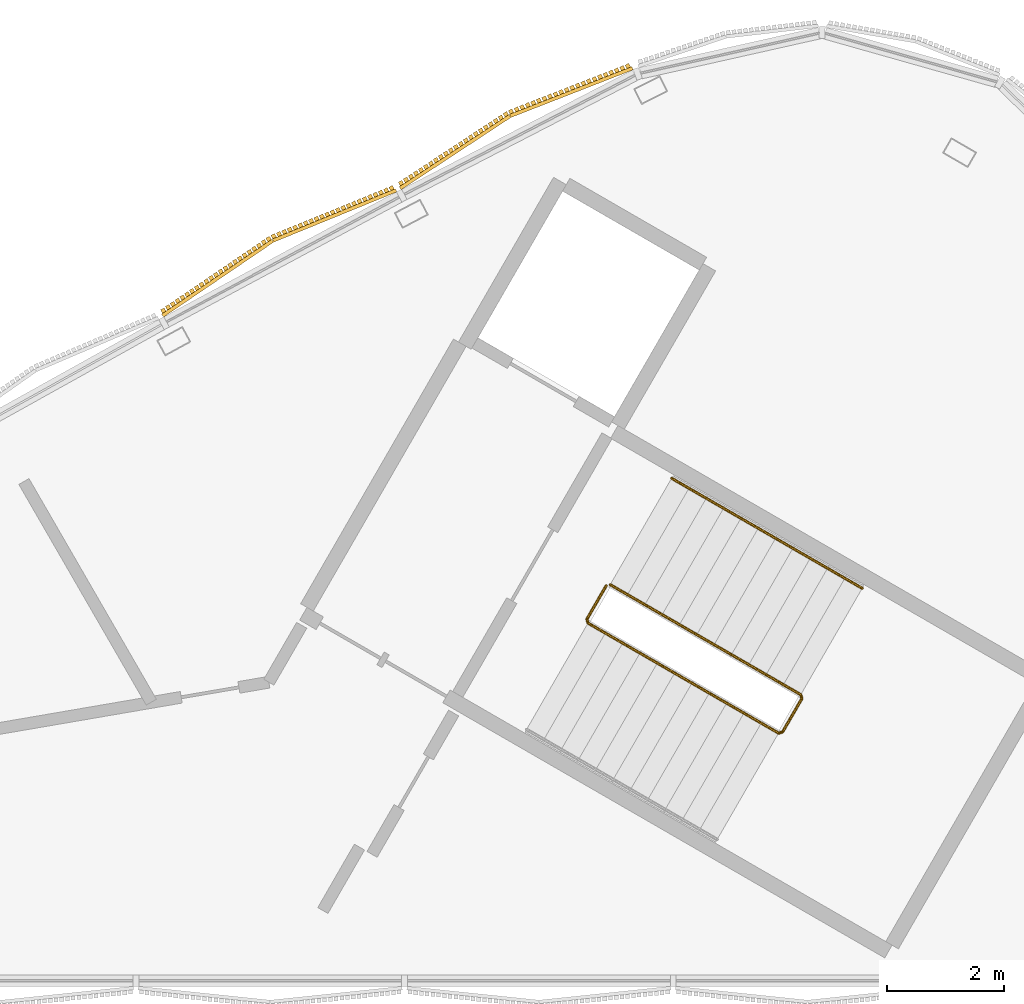
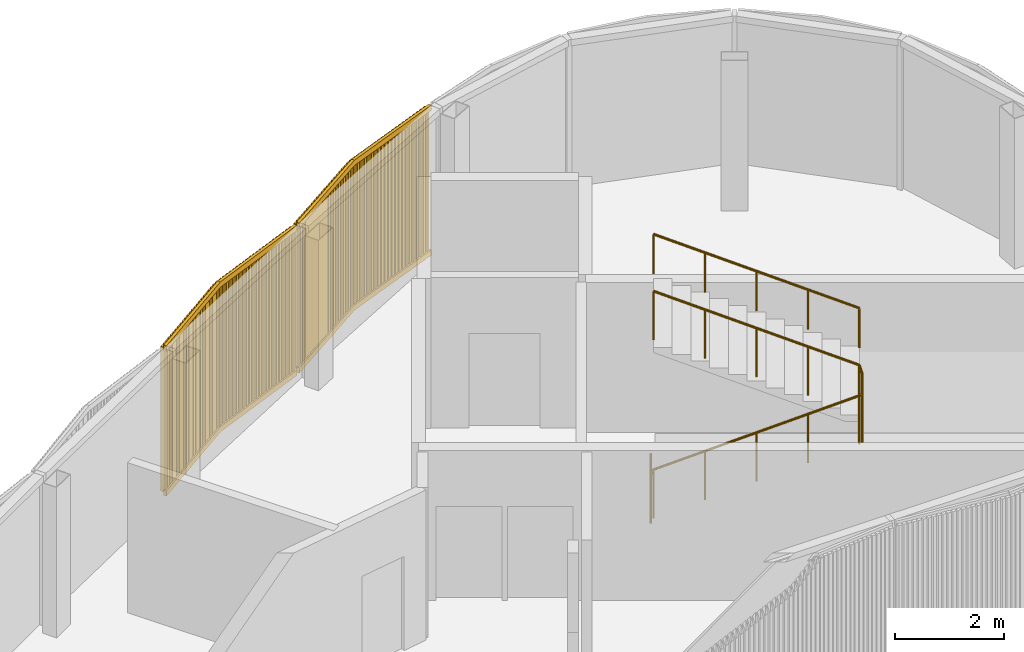
# One storey, part 14 of 16: 2 coverings, 2 railings.
"""IFC4 building model written with IfcOpenShell, lengths in metres."""

from ifc_helpers import new_model, si_unit, direction, frame, frame_2d, origin, origin_2d, place, context, subcontext, project, spatial, rectangle, circle, extrude, source, transform, mapped, material, type_object, element, save


model = new_model("IFC4")

# Units and contexts
model_context = context("Model", 3, precision=1e-05, world=origin(), true_north=direction((0.0, 1.0)))
body_context = subcontext(model_context, "Body", "Model", "MODEL_VIEW")
ifc_project = project(units=[si_unit("LENGTHUNIT", "METRE"), si_unit("AREAUNIT", "SQUARE_METRE"), si_unit("VOLUMEUNIT", "CUBIC_METRE"), si_unit("PLANEANGLEUNIT", "RADIAN"), si_unit("MASSUNIT", "GRAM", prefix="KILO")], contexts=[model_context])

# Site, building, storey
site_placement = place(None, origin())
site = spatial("IfcSite", under=ifc_project, at=site_placement, CompositionType="ELEMENT")
building_placement = place(site_placement, origin())
building = spatial("IfcBuilding", under=site, at=building_placement, Name="Tamra Quay Hotel Tower", CompositionType="ELEMENT")
storey_placement = place(building_placement, frame((0.0, 0.0, 327.800048828125)))
storey = spatial("IfcBuildingStorey", under=building, at=storey_placement, Name="Roof crown 3", CompositionType="ELEMENT", Elevation=327.800048828125)

# Railings
ifc_material_1 = material(Name="Stair guard 1100")
railing_type_1 = type_object("IfcRailingType", Name="Stair guard 1100", PredefinedType="GUARDRAIL", material=ifc_material_1)
railing_1_placement = place(storey_placement, frame((5.595458984375, 12.751953125, 0.0)))
element("IfcRailing", 1, at=railing_1_placement, inside=storey, type_object=railing_type_1, Name="GR", PredefinedType="GUARDRAIL", context=body_context, shape_type="SweptSolid", body=[
    extrude(circle(Radius=0.02392578125, at=origin_2d()), frame((0.0, 0.0, 1.076171875), z_axis=(-0.499765215335, -0.866160914346, 0.0), x_axis=(0.866160914346, -0.499765215335, 0.0)), (0.0, 0.0, 1.0), 0.658935546875),
    extrude(circle(Radius=0.02392578125, at=origin_2d()), frame((-0.329345703125, -0.57080078125, 1.076171875), z_axis=(0.110525977783, -0.411156637351, 0.904839338113), x_axis=(0.965715946433, 0.259601060869, 0.0)), (0.0, 0.0, 1.0), 0.165771484375),
    extrude(circle(Radius=0.02392578125, at=origin_2d()), frame((-0.31103515625, -0.638916015625, 1.22607421875), z_axis=(0.79305953016, -0.457922937641, 0.401700342053), x_axis=(0.500040788363, 0.866001853331, 0.0)), (0.0, 0.0, 1.0), 4.10791015625),
    extrude(circle(Radius=0.02392578125, at=origin_2d()), frame((2.94677734375, -2.52001953125, 2.8759765625), z_axis=(0.965948051503, 0.258736085224, 0.0), x_axis=(-0.258736085224, 0.965948051503, 0.0)), (0.0, 0.0, 1.0), 0.07080078125),
    extrude(circle(Radius=0.02392578125, at=origin_2d()), frame((3.01513671875, -2.501708984375, 2.8759765625), z_axis=(0.500043078269, 0.866000531106, 0.0), x_axis=(-0.866000531106, 0.500043078269, 0.0)), (0.0, 0.0, 1.0), 0.6591796875),
    extrude(circle(Radius=0.02392578125, at=origin_2d()), frame((3.3447265625, -1.930908203125, 2.8759765625), z_axis=(-0.110525977783, 0.411156637351, 0.904839338113), x_axis=(-0.965715946433, -0.259601060869, 0.0)), (0.0, 0.0, 1.0), 0.165771484375),
    extrude(circle(Radius=0.02392578125, at=origin_2d()), frame((3.326416015625, -1.86279296875, 3.02587890625), z_axis=(-0.793100512587, 0.457912285461, 0.401631567183), x_axis=(-0.500012686397, -0.866018079166, 0.0)), (0.0, 0.0, 1.0), 4.10791015625),
    extrude(circle(Radius=0.02099609375, at=origin_2d()), origin(), (0.0, 0.0, 1.0), 1.052001953125),
    extrude(circle(Radius=0.02099609375, at=origin_2d()), frame((-0.329345703125, -0.57080078125, 0.0)), (0.0, 0.0, 1.0), 1.052001953125),
    extrude(circle(Radius=0.02099609375, at=origin_2d()), frame((-0.31103515625, -0.638916015625, 0.14990234375)), (0.0, 0.0, 1.0), 1.052001953125),
    extrude(circle(Radius=0.02099609375, at=origin_2d()), frame((0.50341796875, -1.109130859375, 0.5625)), (0.0, 0.0, 1.0), 1.052001953125),
    extrude(circle(Radius=0.02099609375, at=origin_2d()), frame((1.31787109375, -1.57958984375, 0.97509765625)), (0.0, 0.0, 1.0), 1.052001953125),
    extrude(circle(Radius=0.02099609375, at=origin_2d()), frame((2.13232421875, -2.0498046875, 1.387451171875)), (0.0, 0.0, 1.0), 1.052001953125),
    extrude(circle(Radius=0.02099609375, at=origin_2d()), frame((2.94677734375, -2.52001953125, 1.800048828125)), (0.0, 0.0, 1.0), 1.052001953125),
    extrude(circle(Radius=0.02099609375, at=origin_2d()), frame((3.01513671875, -2.501708984375, 1.800048828125)), (0.0, 0.0, 1.0), 1.052001953125),
    extrude(circle(Radius=0.02099609375, at=origin_2d()), frame((3.3447265625, -1.930908203125, 1.800048828125)), (0.0, 0.0, 1.0), 1.052001953125),
    extrude(circle(Radius=0.02099609375, at=origin_2d()), frame((3.326416015625, -1.86279296875, 1.949951171875)), (0.0, 0.0, 1.0), 1.052001953125),
    extrude(circle(Radius=0.02099609375, at=origin_2d()), frame((2.511962890625, -1.392578125, 2.3623046875)), (0.0, 0.0, 1.0), 1.052001953125),
    extrude(circle(Radius=0.02099609375, at=origin_2d()), frame((1.697265625, -0.92236328125, 2.77490234375)), (0.0, 0.0, 1.0), 1.052001953125),
    extrude(circle(Radius=0.02099609375, at=origin_2d()), frame((0.8828125, -0.451904296875, 3.1875)), (0.0, 0.0, 1.0), 1.052001953125),
    extrude(circle(Radius=0.02099609375, at=origin_2d()), frame((0.068359375, 0.018310546875, 3.599853515625)), (0.0, 0.0, 1.0), 1.052001953125),
])
ifc_material_2 = material(Name="Stair handrail 900")
railing_type_2 = type_object("IfcRailingType", Name="Stair handrail 900", PredefinedType="HANDRAIL", material=ifc_material_2)
railing_2_placement = place(storey_placement, frame((9.971923828125, 12.7080078125, 1.949951171875)))
element("IfcRailing", 2, at=railing_2_placement, inside=storey, type_object=railing_type_2, Name="HR", PredefinedType="HANDRAIL", context=body_context, shape_type="SweptSolid", body=[
    extrude(circle(Radius=0.02392578125, at=origin_2d()), frame((0.0, 0.0, 0.8759765625), z_axis=(-0.793122095483, 0.45786531462, 0.401642496911), x_axis=(-0.499964013922, -0.86604617936, 0.0)), (0.0, 0.0, 1.0), 4.10791015625),
    extrude(circle(Radius=0.02099609375, at=origin_2d()), origin(), (0.0, 0.0, 1.0), 0.851806640625),
    extrude(circle(Radius=0.02099609375, at=origin_2d()), frame((-0.814453125, 0.47021484375, 0.41259765625)), (0.0, 0.0, 1.0), 0.851806640625),
    extrude(circle(Radius=0.02099609375, at=origin_2d()), frame((-1.62890625, 0.9404296875, 0.824951171875)), (0.0, 0.0, 1.0), 0.851806640625),
    extrude(circle(Radius=0.02099609375, at=origin_2d()), frame((-2.443603515625, 1.41064453125, 1.2373046875)), (0.0, 0.0, 1.0), 0.851806640625),
    extrude(circle(Radius=0.02099609375, at=origin_2d()), frame((-3.258056640625, 1.880859375, 1.64990234375)), (0.0, 0.0, 1.0), 0.851806640625),
])

# Coverings
ifc_material_3 = material(Name="Terracotta baguette extruded", Category="masonry")
covering_type = type_object("IfcCoveringType", Name="BAGUETTE SCREEN CROWN H3350", PredefinedType="USERDEFINED", material=ifc_material_3)
shared_shape_1 = source(origin(), body_context, "Body", "SweptSolid", [
    extrude(rectangle(XDim=2.244873046875, YDim=0.06005859375, at=frame_2d((1.12255859375, 0.030029296875))), frame((-2.23876953125, -0.0576171875, -0.1201171875), z_axis=(0.0, 0.0, 1.0), x_axis=(0.994521895368, -0.104528463268, 0.0)), (0.0, 0.0, 1.0), 0.1201171875),
    extrude(rectangle(XDim=2.244873046875, YDim=0.06005859375, at=frame_2d((1.12255859375, 0.030029296875))), frame((-2.23876953125, -0.0576171875, -3.35009765625), z_axis=(0.0, 0.0, 1.0), x_axis=(0.994521895368, -0.104528463268, 0.0)), (0.0, 0.0, 1.0), 0.1201171875),
    extrude(rectangle(XDim=0.070068359375, YDim=0.10009765625, at=frame_2d((0.03515625, 0.050048828125))), frame((-2.216796875, -0.13330078125, -3.2900390625)), (0.0, 0.0, 1.0), 3.22998046875),
    extrude(rectangle(XDim=0.070068359375, YDim=0.10009765625, at=frame_2d((0.03515625, 0.050048828125))), frame((-2.115234375, -0.14404296875, -3.2900390625)), (0.0, 0.0, 1.0), 3.22998046875),
    extrude(rectangle(XDim=0.070068359375, YDim=0.10009765625, at=frame_2d((0.03515625, 0.050048828125))), frame((-2.013916015625, -0.154541015625, -3.2900390625)), (0.0, 0.0, 1.0), 3.22998046875),
    extrude(rectangle(XDim=0.070068359375, YDim=0.10009765625, at=frame_2d((0.03515625, 0.050048828125))), frame((-1.912353515625, -0.165283203125, -3.2900390625)), (0.0, 0.0, 1.0), 3.22998046875),
    extrude(rectangle(XDim=0.070068359375, YDim=0.10009765625, at=frame_2d((0.03515625, 0.050048828125))), frame((-1.810791015625, -0.176025390625, -3.2900390625)), (0.0, 0.0, 1.0), 3.22998046875),
    extrude(rectangle(XDim=0.070068359375, YDim=0.10009765625, at=frame_2d((0.03515625, 0.050048828125))), frame((-1.70947265625, -0.186767578125, -3.2900390625)), (0.0, 0.0, 1.0), 3.22998046875),
    extrude(rectangle(XDim=0.070068359375, YDim=0.10009765625, at=frame_2d((0.03515625, 0.050048828125))), frame((-1.60791015625, -0.197265625, -3.2900390625)), (0.0, 0.0, 1.0), 3.22998046875),
    extrude(rectangle(XDim=0.070068359375, YDim=0.10009765625, at=frame_2d((0.03515625, 0.050048828125))), frame((-1.50634765625, -0.2080078125, -3.2900390625)), (0.0, 0.0, 1.0), 3.22998046875),
    extrude(rectangle(XDim=0.070068359375, YDim=0.10009765625, at=frame_2d((0.03515625, 0.050048828125))), frame((-1.405029296875, -0.21875, -3.2900390625)), (0.0, 0.0, 1.0), 3.22998046875),
    extrude(rectangle(XDim=0.070068359375, YDim=0.10009765625, at=frame_2d((0.03515625, 0.050048828125))), frame((-1.303466796875, -0.229248046875, -3.2900390625)), (0.0, 0.0, 1.0), 3.22998046875),
    extrude(rectangle(XDim=0.070068359375, YDim=0.10009765625, at=frame_2d((0.03515625, 0.050048828125))), frame((-1.201904296875, -0.239990234375, -3.2900390625)), (0.0, 0.0, 1.0), 3.22998046875),
    extrude(rectangle(XDim=0.070068359375, YDim=0.10009765625, at=frame_2d((0.03515625, 0.050048828125))), frame((-1.1005859375, -0.250732421875, -3.2900390625)), (0.0, 0.0, 1.0), 3.22998046875),
    extrude(rectangle(XDim=0.070068359375, YDim=0.10009765625, at=frame_2d((0.03515625, 0.050048828125))), frame((-0.9990234375, -0.26123046875, -3.2900390625)), (0.0, 0.0, 1.0), 3.22998046875),
    extrude(rectangle(XDim=0.070068359375, YDim=0.10009765625, at=frame_2d((0.03515625, 0.050048828125))), frame((-0.8974609375, -0.27197265625, -3.2900390625)), (0.0, 0.0, 1.0), 3.22998046875),
    extrude(rectangle(XDim=0.070068359375, YDim=0.10009765625, at=frame_2d((0.03515625, 0.050048828125))), frame((-0.796142578125, -0.28271484375, -3.2900390625)), (0.0, 0.0, 1.0), 3.22998046875),
    extrude(rectangle(XDim=0.070068359375, YDim=0.10009765625, at=frame_2d((0.03515625, 0.050048828125))), frame((-0.694580078125, -0.293212890625, -3.2900390625)), (0.0, 0.0, 1.0), 3.22998046875),
    extrude(rectangle(XDim=0.070068359375, YDim=0.10009765625, at=frame_2d((0.03515625, 0.050048828125))), frame((-0.593017578125, -0.303955078125, -3.2900390625)), (0.0, 0.0, 1.0), 3.22998046875),
    extrude(rectangle(XDim=0.070068359375, YDim=0.10009765625, at=frame_2d((0.03515625, 0.050048828125))), frame((-0.49169921875, -0.314697265625, -3.2900390625)), (0.0, 0.0, 1.0), 3.22998046875),
    extrude(rectangle(XDim=0.070068359375, YDim=0.10009765625, at=frame_2d((0.03515625, 0.050048828125))), frame((-0.39013671875, -0.325439453125, -3.2900390625)), (0.0, 0.0, 1.0), 3.22998046875),
    extrude(rectangle(XDim=0.070068359375, YDim=0.10009765625, at=frame_2d((0.03515625, 0.050048828125))), frame((-0.28857421875, -0.3359375, -3.2900390625)), (0.0, 0.0, 1.0), 3.22998046875),
    extrude(rectangle(XDim=0.070068359375, YDim=0.10009765625, at=frame_2d((0.03515625, 0.050048828125))), frame((-0.187255859375, -0.3466796875, -3.2900390625)), (0.0, 0.0, 1.0), 3.22998046875),
    extrude(rectangle(XDim=0.070068359375, YDim=0.10009765625, at=frame_2d((0.03515625, 0.050048828125))), frame((-0.085693359375, -0.357421875, -3.2900390625)), (0.0, 0.0, 1.0), 3.22998046875),
    extrude(rectangle(XDim=2.244873046875, YDim=0.06005859375, at=frame_2d((1.12255859375, 0.030029296875))), frame((0.00634765625, -0.292236328125, -0.1201171875), z_axis=(0.0, 0.0, 1.0), x_axis=(0.994521895368, 0.104528463268, 0.0)), (0.0, 0.0, 1.0), 0.1201171875),
    extrude(rectangle(XDim=2.244873046875, YDim=0.06005859375, at=frame_2d((1.12255859375, 0.030029296875))), frame((0.00634765625, -0.292236328125, -3.35009765625), z_axis=(0.0, 0.0, 1.0), x_axis=(0.994521895368, 0.104528463268, 0.0)), (0.0, 0.0, 1.0), 0.1201171875),
    extrude(rectangle(XDim=0.070068359375, YDim=0.10009765625, at=frame_2d((0.03515625, 0.050048828125))), frame((0.015625, -0.357421875, -3.2900390625)), (0.0, 0.0, 1.0), 3.22998046875),
    extrude(rectangle(XDim=0.070068359375, YDim=0.10009765625, at=frame_2d((0.03515625, 0.050048828125))), frame((0.1171875, -0.3466796875, -3.2900390625)), (0.0, 0.0, 1.0), 3.22998046875),
    extrude(rectangle(XDim=0.070068359375, YDim=0.10009765625, at=frame_2d((0.03515625, 0.050048828125))), frame((0.21875, -0.3359375, -3.2900390625)), (0.0, 0.0, 1.0), 3.22998046875),
    extrude(rectangle(XDim=0.070068359375, YDim=0.10009765625, at=frame_2d((0.03515625, 0.050048828125))), frame((0.320068359375, -0.325439453125, -3.2900390625)), (0.0, 0.0, 1.0), 3.22998046875),
    extrude(rectangle(XDim=0.070068359375, YDim=0.10009765625, at=frame_2d((0.03515625, 0.050048828125))), frame((0.421630859375, -0.314697265625, -3.2900390625)), (0.0, 0.0, 1.0), 3.22998046875),
    extrude(rectangle(XDim=0.070068359375, YDim=0.10009765625, at=frame_2d((0.03515625, 0.050048828125))), frame((0.523193359375, -0.303955078125, -3.2900390625)), (0.0, 0.0, 1.0), 3.22998046875),
    extrude(rectangle(XDim=0.070068359375, YDim=0.10009765625, at=frame_2d((0.03515625, 0.050048828125))), frame((0.62451171875, -0.293212890625, -3.2900390625)), (0.0, 0.0, 1.0), 3.22998046875),
    extrude(rectangle(XDim=0.070068359375, YDim=0.10009765625, at=frame_2d((0.03515625, 0.050048828125))), frame((0.72607421875, -0.28271484375, -3.2900390625)), (0.0, 0.0, 1.0), 3.22998046875),
    extrude(rectangle(XDim=0.070068359375, YDim=0.10009765625, at=frame_2d((0.03515625, 0.050048828125))), frame((0.82763671875, -0.27197265625, -3.2900390625)), (0.0, 0.0, 1.0), 3.22998046875),
    extrude(rectangle(XDim=0.070068359375, YDim=0.10009765625, at=frame_2d((0.03515625, 0.050048828125))), frame((0.928955078125, -0.26123046875, -3.2900390625)), (0.0, 0.0, 1.0), 3.22998046875),
    extrude(rectangle(XDim=0.070068359375, YDim=0.10009765625, at=frame_2d((0.03515625, 0.050048828125))), frame((1.030517578125, -0.250732421875, -3.2900390625)), (0.0, 0.0, 1.0), 3.22998046875),
    extrude(rectangle(XDim=0.070068359375, YDim=0.10009765625, at=frame_2d((0.03515625, 0.050048828125))), frame((1.132080078125, -0.239990234375, -3.2900390625)), (0.0, 0.0, 1.0), 3.22998046875),
    extrude(rectangle(XDim=0.070068359375, YDim=0.10009765625, at=frame_2d((0.03515625, 0.050048828125))), frame((1.2333984375, -0.229248046875, -3.2900390625)), (0.0, 0.0, 1.0), 3.22998046875),
    extrude(rectangle(XDim=0.070068359375, YDim=0.10009765625, at=frame_2d((0.03515625, 0.050048828125))), frame((1.3349609375, -0.21875, -3.2900390625)), (0.0, 0.0, 1.0), 3.22998046875),
    extrude(rectangle(XDim=0.070068359375, YDim=0.10009765625, at=frame_2d((0.03515625, 0.050048828125))), frame((1.4365234375, -0.2080078125, -3.2900390625)), (0.0, 0.0, 1.0), 3.22998046875),
    extrude(rectangle(XDim=0.070068359375, YDim=0.10009765625, at=frame_2d((0.03515625, 0.050048828125))), frame((1.537841796875, -0.197265625, -3.2900390625)), (0.0, 0.0, 1.0), 3.22998046875),
    extrude(rectangle(XDim=0.070068359375, YDim=0.10009765625, at=frame_2d((0.03515625, 0.050048828125))), frame((1.639404296875, -0.186767578125, -3.2900390625)), (0.0, 0.0, 1.0), 3.22998046875),
    extrude(rectangle(XDim=0.070068359375, YDim=0.10009765625, at=frame_2d((0.03515625, 0.050048828125))), frame((1.740966796875, -0.176025390625, -3.2900390625)), (0.0, 0.0, 1.0), 3.22998046875),
    extrude(rectangle(XDim=0.070068359375, YDim=0.10009765625, at=frame_2d((0.03515625, 0.050048828125))), frame((1.84228515625, -0.165283203125, -3.2900390625)), (0.0, 0.0, 1.0), 3.22998046875),
    extrude(rectangle(XDim=0.070068359375, YDim=0.10009765625, at=frame_2d((0.03515625, 0.050048828125))), frame((1.94384765625, -0.154541015625, -3.2900390625)), (0.0, 0.0, 1.0), 3.22998046875),
    extrude(rectangle(XDim=0.070068359375, YDim=0.10009765625, at=frame_2d((0.03515625, 0.050048828125))), frame((2.045166015625, -0.14404296875, -3.2900390625)), (0.0, 0.0, 1.0), 3.22998046875),
    extrude(rectangle(XDim=0.070068359375, YDim=0.10009765625, at=frame_2d((0.03515625, 0.050048828125))), frame((2.146728515625, -0.13330078125, -3.2900390625)), (0.0, 0.0, 1.0), 3.22998046875),
])
covering_1_placement = place(storey_placement, frame((4.072021484375, 20.548583984375, 3.349853515625), z_axis=(0.0, 0.0, 1.0), x_axis=(-0.888486270479, -0.458903200218, 0.0)))
element("IfcCovering", 3, at=covering_1_placement, inside=storey, type_object=covering_type, Name="Baguette screen Roof crown 3.A.f05", ObjectType="BAGUETTE SCREEN", PredefinedType="USERDEFINED", context=body_context, shape_type="MappedRepresentation", body=[
    mapped(shared_shape_1, transform((0.0, 0.0, 0.0), scale=1.0)),
])
shared_shape_2 = source(origin(), body_context, "Body", "SweptSolid", [
    extrude(rectangle(XDim=2.27490234375, YDim=0.06005859375, at=frame_2d((1.137451171875, 0.030029296875))), frame((-2.268798828125, -0.0576171875, -0.1201171875), z_axis=(0.0, 0.0, 1.0), x_axis=(0.994521895368, -0.104528463268, 0.0)), (0.0, 0.0, 1.0), 0.1201171875),
    extrude(rectangle(XDim=2.27490234375, YDim=0.06005859375, at=frame_2d((1.137451171875, 0.030029296875))), frame((-2.268798828125, -0.0576171875, -3.35009765625), z_axis=(0.0, 0.0, 1.0), x_axis=(0.994521895368, -0.104528463268, 0.0)), (0.0, 0.0, 1.0), 0.1201171875),
    extrude(rectangle(XDim=0.070068359375, YDim=0.10009765625, at=frame_2d((0.03515625, 0.050048828125))), frame((-2.248291015625, -0.133056640625, -3.2900390625)), (0.0, 0.0, 1.0), 3.22998046875),
    extrude(rectangle(XDim=0.070068359375, YDim=0.10009765625, at=frame_2d((0.03515625, 0.050048828125))), frame((-2.14990234375, -0.1435546875, -3.2900390625)), (0.0, 0.0, 1.0), 3.22998046875),
    extrude(rectangle(XDim=0.070068359375, YDim=0.10009765625, at=frame_2d((0.03515625, 0.050048828125))), frame((-2.051513671875, -0.15380859375, -3.2900390625)), (0.0, 0.0, 1.0), 3.22998046875),
    extrude(rectangle(XDim=0.070068359375, YDim=0.10009765625, at=frame_2d((0.03515625, 0.050048828125))), frame((-1.953125, -0.164306640625, -3.2900390625)), (0.0, 0.0, 1.0), 3.22998046875),
    extrude(rectangle(XDim=0.070068359375, YDim=0.10009765625, at=frame_2d((0.03515625, 0.050048828125))), frame((-1.854736328125, -0.174560546875, -3.2900390625)), (0.0, 0.0, 1.0), 3.22998046875),
    extrude(rectangle(XDim=0.070068359375, YDim=0.10009765625, at=frame_2d((0.03515625, 0.050048828125))), frame((-1.756591796875, -0.184814453125, -3.2900390625)), (0.0, 0.0, 1.0), 3.22998046875),
    extrude(rectangle(XDim=0.070068359375, YDim=0.10009765625, at=frame_2d((0.03515625, 0.050048828125))), frame((-1.658203125, -0.1953125, -3.2900390625)), (0.0, 0.0, 1.0), 3.22998046875),
    extrude(rectangle(XDim=0.070068359375, YDim=0.10009765625, at=frame_2d((0.03515625, 0.050048828125))), frame((-1.559814453125, -0.20556640625, -3.2900390625)), (0.0, 0.0, 1.0), 3.22998046875),
    extrude(rectangle(XDim=0.070068359375, YDim=0.10009765625, at=frame_2d((0.03515625, 0.050048828125))), frame((-1.46142578125, -0.2158203125, -3.2900390625)), (0.0, 0.0, 1.0), 3.22998046875),
    extrude(rectangle(XDim=0.070068359375, YDim=0.10009765625, at=frame_2d((0.03515625, 0.050048828125))), frame((-1.363037109375, -0.226318359375, -3.2900390625)), (0.0, 0.0, 1.0), 3.22998046875),
    extrude(rectangle(XDim=0.070068359375, YDim=0.10009765625, at=frame_2d((0.03515625, 0.050048828125))), frame((-1.2646484375, -0.236572265625, -3.2900390625)), (0.0, 0.0, 1.0), 3.22998046875),
    extrude(rectangle(XDim=0.070068359375, YDim=0.10009765625, at=frame_2d((0.03515625, 0.050048828125))), frame((-1.166259765625, -0.246826171875, -3.2900390625)), (0.0, 0.0, 1.0), 3.22998046875),
    extrude(rectangle(XDim=0.070068359375, YDim=0.10009765625, at=frame_2d((0.03515625, 0.050048828125))), frame((-1.06787109375, -0.25732421875, -3.2900390625)), (0.0, 0.0, 1.0), 3.22998046875),
    extrude(rectangle(XDim=0.070068359375, YDim=0.10009765625, at=frame_2d((0.03515625, 0.050048828125))), frame((-0.969482421875, -0.267578125, -3.2900390625)), (0.0, 0.0, 1.0), 3.22998046875),
    extrude(rectangle(XDim=0.070068359375, YDim=0.10009765625, at=frame_2d((0.03515625, 0.050048828125))), frame((-0.87109375, -0.27783203125, -3.2900390625)), (0.0, 0.0, 1.0), 3.22998046875),
    extrude(rectangle(XDim=0.070068359375, YDim=0.10009765625, at=frame_2d((0.03515625, 0.050048828125))), frame((-0.772705078125, -0.288330078125, -3.2900390625)), (0.0, 0.0, 1.0), 3.22998046875),
    extrude(rectangle(XDim=0.070068359375, YDim=0.10009765625, at=frame_2d((0.03515625, 0.050048828125))), frame((-0.67431640625, -0.298583984375, -3.2900390625)), (0.0, 0.0, 1.0), 3.22998046875),
    extrude(rectangle(XDim=0.070068359375, YDim=0.10009765625, at=frame_2d((0.03515625, 0.050048828125))), frame((-0.575927734375, -0.308837890625, -3.2900390625)), (0.0, 0.0, 1.0), 3.22998046875),
    extrude(rectangle(XDim=0.070068359375, YDim=0.10009765625, at=frame_2d((0.03515625, 0.050048828125))), frame((-0.4775390625, -0.3193359375, -3.2900390625)), (0.0, 0.0, 1.0), 3.22998046875),
    extrude(rectangle(XDim=0.070068359375, YDim=0.10009765625, at=frame_2d((0.03515625, 0.050048828125))), frame((-0.37939453125, -0.32958984375, -3.2900390625)), (0.0, 0.0, 1.0), 3.22998046875),
    extrude(rectangle(XDim=0.070068359375, YDim=0.10009765625, at=frame_2d((0.03515625, 0.050048828125))), frame((-0.281005859375, -0.33984375, -3.2900390625)), (0.0, 0.0, 1.0), 3.22998046875),
    extrude(rectangle(XDim=0.070068359375, YDim=0.10009765625, at=frame_2d((0.03515625, 0.050048828125))), frame((-0.1826171875, -0.350341796875, -3.2900390625)), (0.0, 0.0, 1.0), 3.22998046875),
    extrude(rectangle(XDim=0.070068359375, YDim=0.10009765625, at=frame_2d((0.03515625, 0.050048828125))), frame((-0.084228515625, -0.360595703125, -3.2900390625)), (0.0, 0.0, 1.0), 3.22998046875),
    extrude(rectangle(XDim=2.27490234375, YDim=0.06005859375, at=frame_2d((1.137451171875, 0.030029296875))), frame((0.00634765625, -0.29541015625, -0.1201171875), z_axis=(0.0, 0.0, 1.0), x_axis=(0.994521895368, 0.104528463268, 0.0)), (0.0, 0.0, 1.0), 0.1201171875),
    extrude(rectangle(XDim=2.27490234375, YDim=0.06005859375, at=frame_2d((1.137451171875, 0.030029296875))), frame((0.00634765625, -0.29541015625, -3.35009765625), z_axis=(0.0, 0.0, 1.0), x_axis=(0.994521895368, 0.104528463268, 0.0)), (0.0, 0.0, 1.0), 0.1201171875),
    extrude(rectangle(XDim=0.070068359375, YDim=0.10009765625, at=frame_2d((0.03515625, 0.050048828125))), frame((0.01416015625, -0.360595703125, -3.2900390625)), (0.0, 0.0, 1.0), 3.22998046875),
    extrude(rectangle(XDim=0.070068359375, YDim=0.10009765625, at=frame_2d((0.03515625, 0.050048828125))), frame((0.112548828125, -0.350341796875, -3.2900390625)), (0.0, 0.0, 1.0), 3.22998046875),
    extrude(rectangle(XDim=0.070068359375, YDim=0.10009765625, at=frame_2d((0.03515625, 0.050048828125))), frame((0.2109375, -0.33984375, -3.2900390625)), (0.0, 0.0, 1.0), 3.22998046875),
    extrude(rectangle(XDim=0.070068359375, YDim=0.10009765625, at=frame_2d((0.03515625, 0.050048828125))), frame((0.309326171875, -0.32958984375, -3.2900390625)), (0.0, 0.0, 1.0), 3.22998046875),
    extrude(rectangle(XDim=0.070068359375, YDim=0.10009765625, at=frame_2d((0.03515625, 0.050048828125))), frame((0.40771484375, -0.3193359375, -3.2900390625)), (0.0, 0.0, 1.0), 3.22998046875),
    extrude(rectangle(XDim=0.070068359375, YDim=0.10009765625, at=frame_2d((0.03515625, 0.050048828125))), frame((0.506103515625, -0.308837890625, -3.2900390625)), (0.0, 0.0, 1.0), 3.22998046875),
    extrude(rectangle(XDim=0.070068359375, YDim=0.10009765625, at=frame_2d((0.03515625, 0.050048828125))), frame((0.6044921875, -0.298583984375, -3.2900390625)), (0.0, 0.0, 1.0), 3.22998046875),
    extrude(rectangle(XDim=0.070068359375, YDim=0.10009765625, at=frame_2d((0.03515625, 0.050048828125))), frame((0.702880859375, -0.288330078125, -3.2900390625)), (0.0, 0.0, 1.0), 3.22998046875),
    extrude(rectangle(XDim=0.070068359375, YDim=0.10009765625, at=frame_2d((0.03515625, 0.050048828125))), frame((0.801025390625, -0.27783203125, -3.2900390625)), (0.0, 0.0, 1.0), 3.22998046875),
    extrude(rectangle(XDim=0.070068359375, YDim=0.10009765625, at=frame_2d((0.03515625, 0.050048828125))), frame((0.8994140625, -0.267578125, -3.2900390625)), (0.0, 0.0, 1.0), 3.22998046875),
    extrude(rectangle(XDim=0.070068359375, YDim=0.10009765625, at=frame_2d((0.03515625, 0.050048828125))), frame((0.997802734375, -0.25732421875, -3.2900390625)), (0.0, 0.0, 1.0), 3.22998046875),
    extrude(rectangle(XDim=0.070068359375, YDim=0.10009765625, at=frame_2d((0.03515625, 0.050048828125))), frame((1.09619140625, -0.246826171875, -3.2900390625)), (0.0, 0.0, 1.0), 3.22998046875),
    extrude(rectangle(XDim=0.070068359375, YDim=0.10009765625, at=frame_2d((0.03515625, 0.050048828125))), frame((1.194580078125, -0.236572265625, -3.2900390625)), (0.0, 0.0, 1.0), 3.22998046875),
    extrude(rectangle(XDim=0.070068359375, YDim=0.10009765625, at=frame_2d((0.03515625, 0.050048828125))), frame((1.29296875, -0.226318359375, -3.2900390625)), (0.0, 0.0, 1.0), 3.22998046875),
    extrude(rectangle(XDim=0.070068359375, YDim=0.10009765625, at=frame_2d((0.03515625, 0.050048828125))), frame((1.391357421875, -0.2158203125, -3.2900390625)), (0.0, 0.0, 1.0), 3.22998046875),
    extrude(rectangle(XDim=0.070068359375, YDim=0.10009765625, at=frame_2d((0.03515625, 0.050048828125))), frame((1.48974609375, -0.20556640625, -3.2900390625)), (0.0, 0.0, 1.0), 3.22998046875),
    extrude(rectangle(XDim=0.070068359375, YDim=0.10009765625, at=frame_2d((0.03515625, 0.050048828125))), frame((1.588134765625, -0.1953125, -3.2900390625)), (0.0, 0.0, 1.0), 3.22998046875),
    extrude(rectangle(XDim=0.070068359375, YDim=0.10009765625, at=frame_2d((0.03515625, 0.050048828125))), frame((1.6865234375, -0.184814453125, -3.2900390625)), (0.0, 0.0, 1.0), 3.22998046875),
    extrude(rectangle(XDim=0.070068359375, YDim=0.10009765625, at=frame_2d((0.03515625, 0.050048828125))), frame((1.784912109375, -0.174560546875, -3.2900390625)), (0.0, 0.0, 1.0), 3.22998046875),
    extrude(rectangle(XDim=0.070068359375, YDim=0.10009765625, at=frame_2d((0.03515625, 0.050048828125))), frame((1.88330078125, -0.164306640625, -3.2900390625)), (0.0, 0.0, 1.0), 3.22998046875),
    extrude(rectangle(XDim=0.070068359375, YDim=0.10009765625, at=frame_2d((0.03515625, 0.050048828125))), frame((1.981689453125, -0.15380859375, -3.2900390625)), (0.0, 0.0, 1.0), 3.22998046875),
    extrude(rectangle(XDim=0.070068359375, YDim=0.10009765625, at=frame_2d((0.03515625, 0.050048828125))), frame((2.079833984375, -0.1435546875, -3.2900390625)), (0.0, 0.0, 1.0), 3.22998046875),
    extrude(rectangle(XDim=0.070068359375, YDim=0.10009765625, at=frame_2d((0.03515625, 0.050048828125))), frame((2.17822265625, -0.133056640625, -3.2900390625)), (0.0, 0.0, 1.0), 3.22998046875),
])
covering_2_placement = place(storey_placement, frame((0.021484375, 18.416015625, 3.349853515625), z_axis=(0.0, 0.0, 1.0), x_axis=(-0.881223582111, -0.472699691486, 0.0)))
element("IfcCovering", 4, at=covering_2_placement, inside=storey, type_object=covering_type, Name="Baguette screen Roof crown 3.A.f06", ObjectType="BAGUETTE SCREEN", PredefinedType="USERDEFINED", context=body_context, shape_type="MappedRepresentation", body=[
    mapped(shared_shape_2, transform((0.0, 0.0, 0.0), scale=1.0)),
])

save(model, "model.ifc")
